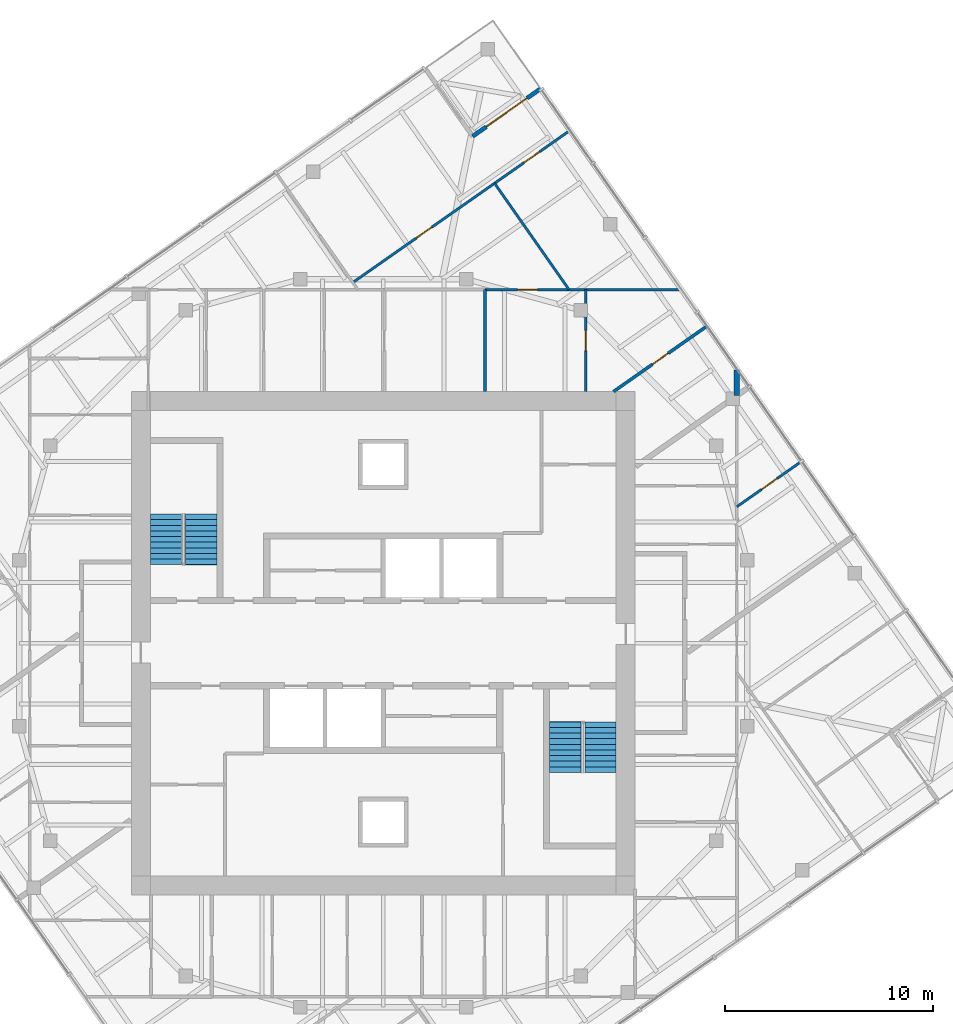
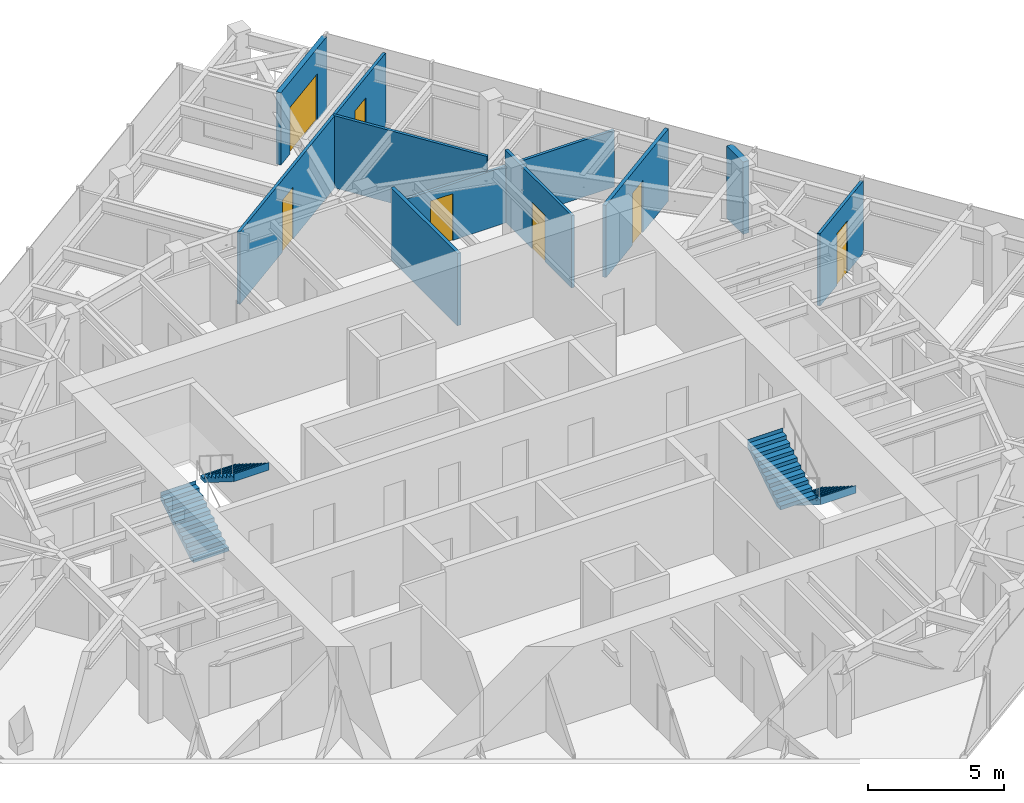
# One storey, part 11 of 12: 9 walls, 7 doors, 4 stair flights, 7 openings, 2 elements without a shape of their own.
"""IFC4 building model written with IfcOpenShell, lengths in metres."""

from ifc_helpers import new_model, si_unit, direction, frame, frame_2d, origin, place, context, subcontext, project, spatial, polyline, rectangle, outline, extrude, material, layer, layer_set, type_object, element, fill, aggregate, save


model = new_model("IFC4")

# Units and contexts
model_context = context("Model", 3, precision=1e-05, world=origin(), true_north=direction((0.0, 1.0)))
body_context = subcontext(model_context, "Body", "Model", "MODEL_VIEW")
ifc_project = project(units=[si_unit("LENGTHUNIT", "METRE"), si_unit("AREAUNIT", "SQUARE_METRE"), si_unit("VOLUMEUNIT", "CUBIC_METRE"), si_unit("PLANEANGLEUNIT", "RADIAN"), si_unit("MASSUNIT", "GRAM", prefix="KILO")], contexts=[model_context])

# Site, building, storey
site_placement = place(None, origin())
site = spatial("IfcSite", under=ifc_project, at=site_placement, CompositionType="ELEMENT")
building_placement = place(site_placement, origin())
building = spatial("IfcBuilding", under=site, at=building_placement, Name="Torsade Residences", CompositionType="ELEMENT")
storey_placement = place(building_placement, frame((0.0, 0.0, 247.199951171875)))
storey = spatial("IfcBuildingStorey", under=building, at=storey_placement, Name="L68", CompositionType="ELEMENT", Elevation=247.199951171875)

# Wall, opening, door
ifc_material_1 = material(Name="Plasterboard on steel stud", Category="steel")
ifc_layer_1 = layer(ifc_material_1, 0.1201171875)
ifc_layer_set_1 = layer_set([ifc_layer_1], Name="Plasterboard on steel stud")
wall_type_1 = type_object("IfcWallType", Name="PARTITION 120", PredefinedType="PARTITIONING", material=ifc_layer_set_1)
wall_1_placement = place(storey_placement, frame((57.0, 36.5625, 0.0), z_axis=(0.0, 0.0, 1.0), x_axis=(0.819140645834, 0.573592714688, 0.0)))
wall_1 = element("IfcWall", 1, at=wall_1_placement, inside=storey, type_object=wall_type_1, Name="Partition L68", PredefinedType="PARTITIONING", context=body_context, shape_type="SweptSolid", body=[
    extrude(rectangle(XDim=3.770263671875, YDim=0.1201171875, at=frame_2d((1.88525390625, 0.0))), origin(), (0.0, 0.0, 1.0), 3.25),
])
opening_1_placement = place(wall_1_placement, frame((1.445068359375, 0.0, 0.0)))
opening_1 = element("IfcOpeningElement", 2, at=opening_1_placement, cuts=wall_1, Name="Opening D02", PredefinedType="OPENING", context=body_context, shape_type="SweptSolid", body=[
    extrude(rectangle(XDim=0.919921875, YDim=2.340087890625, at=frame_2d((0.4599609375, 1.169921875))), frame((0.0, 0.070068359375, 0.0), z_axis=(0.0, -1.0, 0.0), x_axis=(1.0, 0.0, 0.0)), (0.0, 0.0, 1.0), 0.14013671875),
])
ifc_material_2 = material(Name="Hollow-core timber door", Category="wood")
door_type_1 = type_object("IfcDoorType", Name="INTERNAL DOOR 920x2340", OperationType="NOTDEFINED", PredefinedType="DOOR", material=ifc_material_2)
door_1_placement = place(opening_1_placement, origin())
door_1 = element("IfcDoor", 3, at=door_1_placement, inside=storey, type_object=door_type_1, Name="Door Living room to Bedroom 1", OperationType="SINGLE_SWING_LEFT", OverallHeight=2.340087890625, OverallWidth=0.919921875, PredefinedType="DOOR", context=body_context, shape_type="SweptSolid", body=[
    extrude(rectangle(XDim=0.919921875, YDim=2.340087890625, at=frame_2d((0.4599609375, 1.169921875))), frame((0.0, 0.02490234375, 0.0), z_axis=(0.0, -1.0, 0.0), x_axis=(1.0, 0.0, 0.0)), (0.0, 0.0, 1.0), 0.050048828125),
])
fill(opening_1, door_1)

wall_2_placement = place(storey_placement, frame((49.7421875, 47.0, 0.0), z_axis=(0.0, 0.0, 1.0), x_axis=(0.0, -1.0, 0.0)))
wall_2 = element("IfcWall", 4, at=wall_2_placement, inside=storey, type_object=wall_type_1, Name="Partition L68", PredefinedType="PARTITIONING", context=body_context, shape_type="SweptSolid", body=[
    extrude(rectangle(XDim=4.89990234375, YDim=0.1201171875, at=frame_2d((2.449951171875, 0.0))), origin(), (0.0, 0.0, 1.0), 3.25),
])
opening_2_placement = place(wall_2_placement, frame((1.969970703125, 0.0, 0.0)))
opening_2 = element("IfcOpeningElement", 5, at=opening_2_placement, cuts=wall_2, Name="Opening D05", PredefinedType="OPENING", context=body_context, shape_type="SweptSolid", body=[
    extrude(rectangle(XDim=0.9599609375, YDim=2.10009765625, at=frame_2d((0.47998046875, 1.050048828125))), frame((0.0, 0.070068359375, 0.0), z_axis=(0.0, -1.0, 0.0), x_axis=(1.0, 0.0, 0.0)), (0.0, 0.0, 1.0), 0.14013671875),
])
ifc_material_3 = material(Name="Hollow-core timber door in a steel cavity frame", Category="steel")
door_type_2 = type_object("IfcDoorType", Name="BATHROOM CAVITY SLIDING DOOR 960", OperationType="SLIDING_TO_LEFT", PredefinedType="DOOR", material=ifc_material_3)
door_2_placement = place(opening_2_placement, origin())
door_2 = element("IfcDoor", 6, at=door_2_placement, inside=storey, type_object=door_type_2, Name="Door Laundry to Study", OperationType="SLIDING_TO_LEFT", OverallHeight=2.10009765625, OverallWidth=0.9599609375, PredefinedType="DOOR", context=body_context, shape_type="SweptSolid", body=[
    extrude(rectangle(XDim=0.9599609375, YDim=2.10009765625, at=frame_2d((0.47998046875, 1.050048828125))), frame((0.0, 0.02490234375, 0.0), z_axis=(0.0, -1.0, 0.0), x_axis=(1.0, 0.0, 0.0)), (0.0, 0.0, 1.0), 0.050048828125),
])
fill(opening_2, door_2)

wall_3_placement = place(storey_placement, frame((44.898193359375, 47.0, 0.0), z_axis=(0.0, 0.0, 1.0), x_axis=(1.0, 0.0, 0.0)))
wall_3 = element("IfcWall", 7, at=wall_3_placement, inside=storey, type_object=wall_type_1, Name="Partition L68", PredefinedType="PARTITIONING", context=body_context, shape_type="SweptSolid", body=[
    extrude(rectangle(XDim=9.39599609375, YDim=0.1201171875, at=frame_2d((4.697998046875, 0.0))), origin(), (0.0, 0.0, 1.0), 2.550048828125),
])
opening_3_placement = place(wall_3_placement, frame((1.567626953125, 0.0, 0.0)))
opening_3 = element("IfcOpeningElement", 8, at=opening_3_placement, cuts=wall_3, Name="Opening D05", PredefinedType="OPENING", context=body_context, shape_type="SweptSolid", body=[
    extrude(rectangle(XDim=0.9599609375, YDim=2.10009765625, at=frame_2d((0.47998046875, 1.050048828125))), frame((0.0, 0.070068359375, 0.0), z_axis=(0.0, -1.0, 0.0), x_axis=(1.0, 0.0, 0.0)), (0.0, 0.0, 1.0), 0.14013671875),
])
door_3_placement = place(opening_3_placement, origin())
door_3 = element("IfcDoor", 9, at=door_3_placement, inside=storey, type_object=door_type_2, Name="Door Walk-in robe to Laundry", OperationType="SLIDING_TO_LEFT", OverallHeight=2.10009765625, OverallWidth=0.9599609375, PredefinedType="DOOR", context=body_context, shape_type="SweptSolid", body=[
    extrude(rectangle(XDim=0.9599609375, YDim=2.10009765625, at=frame_2d((0.47998046875, 1.050048828125))), frame((0.0, 0.02490234375, 0.0), z_axis=(0.0, -1.0, 0.0), x_axis=(1.0, 0.0, 0.0)), (0.0, 0.0, 1.0), 0.050048828125),
])
fill(opening_3, door_3)

# Wall, openings, doors
wall_4_placement = place(storey_placement, frame((48.949462890625, 54.63330078125, 0.0), z_axis=(0.0, 0.0, 1.0), x_axis=(-0.819155207289, -0.573571919092, 0.0)))
wall_4 = element("IfcWall", 10, at=wall_4_placement, inside=storey, type_object=wall_type_1, Name="Partition L68", PredefinedType="PARTITIONING", context=body_context, shape_type="SweptSolid", body=[
    extrude(rectangle(XDim=12.7099609375, YDim=0.1201171875, at=frame_2d((6.35498046875, 0.0))), origin(), (0.0, 0.0, 1.0), 3.25),
])
opening_4_placement = place(wall_4_placement, frame((8.066162109375, 0.0, 0.0)))
opening_4 = element("IfcOpeningElement", 11, at=opening_4_placement, cuts=wall_4, Name="Opening D02", PredefinedType="OPENING", context=body_context, shape_type="SweptSolid", body=[
    extrude(rectangle(XDim=0.919921875, YDim=2.340087890625, at=frame_2d((0.4599609375, 1.169921875))), frame((0.0, 0.070068359375, 0.0), z_axis=(0.0, -1.0, 0.0), x_axis=(1.0, 0.0, 0.0)), (0.0, 0.0, 1.0), 0.14013671875),
])
opening_5_placement = place(wall_4_placement, frame((1.7412109375, 0.0, 0.0)))
opening_5 = element("IfcOpeningElement", 12, at=opening_5_placement, cuts=wall_4, Name="Opening D02", PredefinedType="OPENING", context=body_context, shape_type="SweptSolid", body=[
    extrude(rectangle(XDim=0.919921875, YDim=2.340087890625, at=frame_2d((0.4599609375, 1.169921875))), frame((0.0, 0.070068359375, 0.0), z_axis=(0.0, -1.0, 0.0), x_axis=(1.0, 0.0, 0.0)), (0.0, 0.0, 1.0), 0.14013671875),
])
door_4_placement = place(opening_4_placement, origin())
door_4 = element("IfcDoor", 13, at=door_4_placement, inside=storey, type_object=door_type_1, Name="Door Living room to Walk-in robe", OperationType="SINGLE_SWING_LEFT", OverallHeight=2.340087890625, OverallWidth=0.919921875, PredefinedType="DOOR", context=body_context, shape_type="SweptSolid", body=[
    extrude(rectangle(XDim=0.919921875, YDim=2.340087890625, at=frame_2d((0.4599609375, 1.169921875))), frame((0.0, 0.02490234375, 0.0), z_axis=(0.0, -1.0, 0.0), x_axis=(1.0, 0.0, 0.0)), (0.0, 0.0, 1.0), 0.050048828125),
])
fill(opening_4, door_4)
door_5_placement = place(opening_5_placement, origin())
door_5 = element("IfcDoor", 14, at=door_5_placement, inside=storey, type_object=door_type_1, Name="Door Living room to Bedroom 4", OperationType="SINGLE_SWING_RIGHT", OverallHeight=2.340087890625, OverallWidth=0.919921875, PredefinedType="DOOR", context=body_context, shape_type="SweptSolid", body=[
    extrude(rectangle(XDim=0.919921875, YDim=2.340087890625, at=frame_2d((0.4599609375, 1.169921875))), frame((0.0, 0.02490234375, 0.0), z_axis=(0.0, -1.0, 0.0), x_axis=(1.0, 0.0, 0.0)), (0.0, 0.0, 1.0), 0.050048828125),
])
fill(opening_5, door_5)

# Walls
wall_5_placement = place(storey_placement, frame((48.932373046875, 47.0, 0.0), z_axis=(0.0, 0.0, 1.0), x_axis=(-0.573569946952, 0.819156588177, 0.0)))
element("IfcWall", 15, at=wall_5_placement, inside=storey, type_object=wall_type_1, Name="Partition L68", PredefinedType="PARTITIONING", context=body_context, shape_type="SweptSolid", body=[
    extrude(rectangle(XDim=6.242919921875, YDim=0.1201171875, at=frame_2d((3.12158203125, 0.0))), origin(), (0.0, 0.0, 1.0), 3.25),
])
ifc_material_4 = material(Name="Masonry-lined stud party wall", Category="masonry")
ifc_layer_2 = layer(ifc_material_4, 0.25)
ifc_layer_set_2 = layer_set([ifc_layer_2], Name="Masonry-lined stud party wall")
wall_type_2 = type_object("IfcWallType", Name="PARTY WALL 250", PredefinedType="PARTITIONING", material=ifc_layer_set_2)
wall_6_placement = place(storey_placement, frame((57.0, 41.919189453125, 0.0), z_axis=(0.0, 0.0, 1.0), x_axis=(0.0, 1.0, 0.0)))
element("IfcWall", 16, at=wall_6_placement, inside=storey, type_object=wall_type_2, Name="Party wall L68", PredefinedType="PARTITIONING", context=body_context, shape_type="SweptSolid", body=[
    extrude(rectangle(XDim=1.216552734375, YDim=0.25, at=frame_2d((0.6083984375, 0.0))), origin(), (0.0, 0.0, 1.0), 3.25),
])
ifc_material_5 = material(Name="Reinforced blockwork", Category="masonry")
ifc_layer_3 = layer(ifc_material_5, 0.14990234375)
ifc_layer_set_3 = layer_set([ifc_layer_3], Name="Reinforced blockwork")
wall_type_3 = type_object("IfcWallType", Name="SERVICE ROOM WALL 150", PredefinedType="SOLIDWALL", material=ifc_layer_set_3)
wall_7_placement = place(storey_placement, frame((44.898193359375, 42.10009765625, 0.0), z_axis=(0.0, 0.0, 1.0), x_axis=(0.0, 1.0, 0.0)))
element("IfcWall", 17, at=wall_7_placement, inside=storey, type_object=wall_type_3, Name="Service room wall L68", PredefinedType="SOLIDWALL", context=body_context, shape_type="SweptSolid", body=[
    extrude(rectangle(XDim=4.89990234375, YDim=0.14990234375, at=frame_2d((2.449951171875, 0.0))), origin(), (0.0, 0.0, 1.0), 3.25),
])

# Wall, opening, door
wall_8_placement = place(storey_placement, frame((55.53662109375, 45.225830078125, 0.0), z_axis=(0.0, 0.0, 1.0), x_axis=(-0.819158250207, -0.573567573279, 0.0)))
wall_8 = element("IfcWall", 18, at=wall_8_placement, inside=storey, type_object=wall_type_3, Name="Service room wall L68", PredefinedType="SOLIDWALL", context=body_context, shape_type="SweptSolid", body=[
    extrude(rectangle(XDim=5.44970703125, YDim=0.14990234375, at=frame_2d((2.724853515625, 0.0))), origin(), (0.0, 0.0, 1.0), 3.25),
])
opening_6_placement = place(wall_8_placement, frame((2.244873046875, 0.0, 0.0)))
opening_6 = element("IfcOpeningElement", 19, at=opening_6_placement, cuts=wall_8, Name="Opening D02", PredefinedType="OPENING", context=body_context, shape_type="SweptSolid", body=[
    extrude(rectangle(XDim=0.919921875, YDim=2.340087890625, at=frame_2d((0.4599609375, 1.169921875))), frame((0.0, 0.0849609375, 0.0), z_axis=(0.0, -1.0, 0.0), x_axis=(1.0, 0.0, 0.0)), (0.0, 0.0, 1.0), 0.169921875),
])
door_6_placement = place(opening_6_placement, origin())
door_6 = element("IfcDoor", 20, at=door_6_placement, inside=storey, type_object=door_type_1, Name="Door Study to Linen store 3", OperationType="SINGLE_SWING_RIGHT", OverallHeight=2.340087890625, OverallWidth=0.919921875, PredefinedType="DOOR", context=body_context, shape_type="SweptSolid", body=[
    extrude(rectangle(XDim=0.919921875, YDim=2.340087890625, at=frame_2d((0.4599609375, 1.169921875))), frame((0.0, 0.02490234375, 0.0), z_axis=(0.0, -1.0, 0.0), x_axis=(1.0, 0.0, 0.0)), (0.0, 0.0, 1.0), 0.050048828125),
])
fill(opening_6, door_6)

ifc_material_6 = material(Name="Stone-faced precast concrete 40 MPa panel", Category="masonry")
ifc_layer_4 = layer(ifc_material_6, 0.199951171875)
ifc_layer_set_4 = layer_set([ifc_layer_4], Name="Stone-faced precast concrete 40 MPa panel")
wall_type_4 = type_object("IfcWallType", Name="TERRACE WALL 200", PredefinedType="SOLIDWALL", material=ifc_layer_set_4)
wall_9_placement = place(storey_placement, frame((47.57421875, 56.6669921875, 0.0), z_axis=(0.0, 0.0, 1.0), x_axis=(-0.819165963305, -0.573556557423, 0.0)))
wall_9 = element("IfcWall", 21, at=wall_9_placement, inside=storey, type_object=wall_type_4, Name="Terrace wall L68 5", PredefinedType="SOLIDWALL", context=body_context, shape_type="SweptSolid", body=[
    extrude(rectangle(XDim=4.0, YDim=0.199951171875, at=frame_2d((2.0, 0.0))), origin(), (0.0, 0.0, 1.0), 3.25),
])
opening_7_placement = place(wall_9_placement, frame((0.800048828125, 0.0, 0.0)))
opening_7 = element("IfcOpeningElement", 22, at=opening_7_placement, cuts=wall_9, Name="Opening D10A", PredefinedType="OPENING", context=body_context, shape_type="SweptSolid", body=[
    extrude(rectangle(XDim=2.39990234375, YDim=2.10009765625, at=frame_2d((1.199951171875, 1.050048828125))), frame((0.0, 0.10986328125, 0.0), z_axis=(0.0, -1.0, 0.0), x_axis=(1.0, 0.0, 0.0)), (0.0, 0.0, 1.0), 0.219970703125),
])
ifc_material_7 = material(Name="Aluminium-framed glass door", Category="aluminium")
door_type_3 = type_object("IfcDoorType", Name="TERRACE SLIDING DOOR 2400x2100", OperationType="SLIDING_TO_LEFT", PredefinedType="DOOR", material=ifc_material_7)
door_7_placement = place(opening_7_placement, origin())
door_7 = element("IfcDoor", 23, at=door_7_placement, inside=storey, type_object=door_type_3, Name="Terrace door L68 5", OperationType="SLIDING_TO_LEFT", OverallHeight=2.10009765625, OverallWidth=2.39990234375, PredefinedType="DOOR", context=body_context, shape_type="SweptSolid", body=[
    extrude(rectangle(XDim=2.39990234375, YDim=2.10009765625, at=frame_2d((1.199951171875, 1.050048828125))), frame((0.0, 0.02490234375, 0.0), z_axis=(0.0, -1.0, 0.0), x_axis=(1.0, 0.0, 0.0)), (0.0, 0.0, 1.0), 0.050048828125),
])
fill(opening_7, door_7)

# Stair, stair flights
ifc_material_8 = material(Name="Precast concrete 40 MPa", Category="concrete")
stair_type = type_object("IfcStairType", Name="HALF-TURN FIRE STAIR 1500x3400", PredefinedType="HALF_TURN_STAIR", material=ifc_material_8)
stair_1_placement = place(storey_placement, origin())
stair_1 = element("IfcStair", 24, at=stair_1_placement, inside=storey, type_object=stair_type, Name="Stair ST1 L68", PredefinedType="HALF_TURN_STAIR")
ifc_material_9 = material(Name="Precast concrete 40 MPa", Category="concrete")
stair_flight_type = type_object("IfcStairFlightType", Name="PRECAST STAIR FLIGHT 1500x1700", PredefinedType="STRAIGHT", material=ifc_material_9)
stair_flight_1_placement = place(storey_placement, frame((29.550048828125, 33.780029296875, 0.0), z_axis=(0.0, 0.0, 1.0), x_axis=(0.0, 1.0, 0.0)))
stair_flight_1 = element("IfcStairFlight", 25, at=stair_flight_1_placement, type_object=stair_flight_type, Name="ST1 flight 1", NumberOfRisers=10, NumberOfTreads=9, PredefinedType="STRAIGHT", RiserHeight=0.17, TreadLength=0.27, context=body_context, shape_type="SweptSolid", body=[
    extrude(outline(polyline([(0.0, 0.0), (0.0, 0.169921875), (0.27001953125, 0.169921875), (0.27001953125, 0.340087890625), (0.5400390625, 0.340087890625), (0.5400390625, 0.510009765625), (0.81005859375, 0.510009765625), (0.81005859375, 0.679931640625), (1.080078125, 0.679931640625), (1.080078125, 0.85009765625), (1.35009765625, 0.85009765625), (1.35009765625, 1.02001953125), (1.6201171875, 1.02001953125), (1.6201171875, 1.18994140625), (1.889892578125, 1.18994140625), (1.889892578125, 1.360107421875), (2.159912109375, 1.360107421875), (2.159912109375, 1.530029296875), (2.429931640625, 1.530029296875), (2.429931640625, 1.699951171875), (2.43994140625, 1.699951171875), (2.43994140625, 1.352783203125), (2.429931640625, 1.352783203125), (0.28125, 0.0), (0.0, 0.0)])), frame((0.0, 0.75, 0.0), z_axis=(0.0, -1.0, 0.0), x_axis=(1.0, 0.0, 0.0)), (0.0, 0.0, 1.0), 1.5),
])
stair_flight_2_placement = place(storey_placement, frame((31.25, 36.2099609375, 1.699951171875), z_axis=(0.0, 0.0, 1.0), x_axis=(0.0, -1.0, 0.0)))
stair_flight_2 = element("IfcStairFlight", 26, at=stair_flight_2_placement, type_object=stair_flight_type, Name="ST1 flight 2", NumberOfRisers=10, NumberOfTreads=9, PredefinedType="STRAIGHT", RiserHeight=0.17, TreadLength=0.27, context=body_context, shape_type="SweptSolid", body=[
    extrude(outline(polyline([(0.0, 0.0), (0.0, 0.169921875), (0.27001953125, 0.169921875), (0.27001953125, 0.340087890625), (0.5400390625, 0.340087890625), (0.5400390625, 0.510009765625), (0.81005859375, 0.510009765625), (0.81005859375, 0.679931640625), (1.080078125, 0.679931640625), (1.080078125, 0.85009765625), (1.35009765625, 0.85009765625), (1.35009765625, 1.02001953125), (1.6201171875, 1.02001953125), (1.6201171875, 1.18994140625), (1.889892578125, 1.18994140625), (1.889892578125, 1.360107421875), (2.159912109375, 1.360107421875), (2.159912109375, 1.530029296875), (2.429931640625, 1.530029296875), (2.429931640625, 1.699951171875), (2.43994140625, 1.699951171875), (2.43994140625, 1.352783203125), (2.429931640625, 1.352783203125), (0.28125, 0.0), (0.0, 0.0)])), frame((0.0, 0.75, 0.0), z_axis=(0.0, -1.0, 0.0), x_axis=(1.0, 0.0, 0.0)), (0.0, 0.0, 1.0), 1.5),
])
aggregate(stair_1, [stair_flight_1, stair_flight_2])

stair_2_placement = place(storey_placement, origin())
stair_2 = element("IfcStair", 27, at=stair_2_placement, inside=storey, type_object=stair_type, Name="Stair ST2 L68", PredefinedType="HALF_TURN_STAIR")
stair_flight_3_placement = place(storey_placement, frame((50.449951171875, 26.219970703125, 0.0), z_axis=(0.0, 0.0, 1.0), x_axis=(0.0, -1.0, 0.0)))
stair_flight_3 = element("IfcStairFlight", 28, at=stair_flight_3_placement, type_object=stair_flight_type, Name="ST2 flight 1", NumberOfRisers=10, NumberOfTreads=9, PredefinedType="STRAIGHT", RiserHeight=0.17, TreadLength=0.27, context=body_context, shape_type="SweptSolid", body=[
    extrude(outline(polyline([(0.0, 0.0), (0.0, 0.169921875), (0.27001953125, 0.169921875), (0.27001953125, 0.340087890625), (0.5400390625, 0.340087890625), (0.5400390625, 0.510009765625), (0.81005859375, 0.510009765625), (0.81005859375, 0.679931640625), (1.080078125, 0.679931640625), (1.080078125, 0.85009765625), (1.35009765625, 0.85009765625), (1.35009765625, 1.02001953125), (1.6201171875, 1.02001953125), (1.6201171875, 1.18994140625), (1.889892578125, 1.18994140625), (1.889892578125, 1.360107421875), (2.159912109375, 1.360107421875), (2.159912109375, 1.530029296875), (2.429931640625, 1.530029296875), (2.429931640625, 1.699951171875), (2.43994140625, 1.699951171875), (2.43994140625, 1.352783203125), (2.429931640625, 1.352783203125), (0.28125, 0.0), (0.0, 0.0)])), frame((0.0, 0.75, 0.0), z_axis=(0.0, -1.0, 0.0), x_axis=(1.0, 0.0, 0.0)), (0.0, 0.0, 1.0), 1.5),
])
stair_flight_4_placement = place(storey_placement, frame((48.75, 23.7900390625, 1.699951171875), z_axis=(0.0, 0.0, 1.0), x_axis=(0.0, 1.0, 0.0)))
stair_flight_4 = element("IfcStairFlight", 29, at=stair_flight_4_placement, type_object=stair_flight_type, Name="ST2 flight 2", NumberOfRisers=10, NumberOfTreads=9, PredefinedType="STRAIGHT", RiserHeight=0.17, TreadLength=0.27, context=body_context, shape_type="SweptSolid", body=[
    extrude(outline(polyline([(0.0, 0.0), (0.0, 0.169921875), (0.27001953125, 0.169921875), (0.27001953125, 0.340087890625), (0.5400390625, 0.340087890625), (0.5400390625, 0.510009765625), (0.81005859375, 0.510009765625), (0.81005859375, 0.679931640625), (1.080078125, 0.679931640625), (1.080078125, 0.85009765625), (1.35009765625, 0.85009765625), (1.35009765625, 1.02001953125), (1.6201171875, 1.02001953125), (1.6201171875, 1.18994140625), (1.889892578125, 1.18994140625), (1.889892578125, 1.360107421875), (2.159912109375, 1.360107421875), (2.159912109375, 1.530029296875), (2.429931640625, 1.530029296875), (2.429931640625, 1.699951171875), (2.43994140625, 1.699951171875), (2.43994140625, 1.352783203125), (2.429931640625, 1.352783203125), (0.28125, 0.0), (0.0, 0.0)])), frame((0.0, 0.75, 0.0), z_axis=(0.0, -1.0, 0.0), x_axis=(1.0, 0.0, 0.0)), (0.0, 0.0, 1.0), 1.5),
])
aggregate(stair_2, [stair_flight_3, stair_flight_4])

save(model, "model.ifc")
